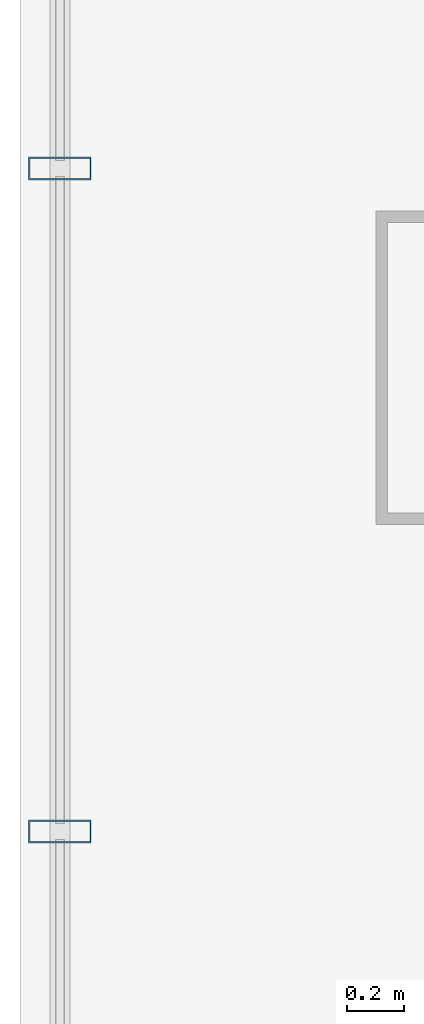
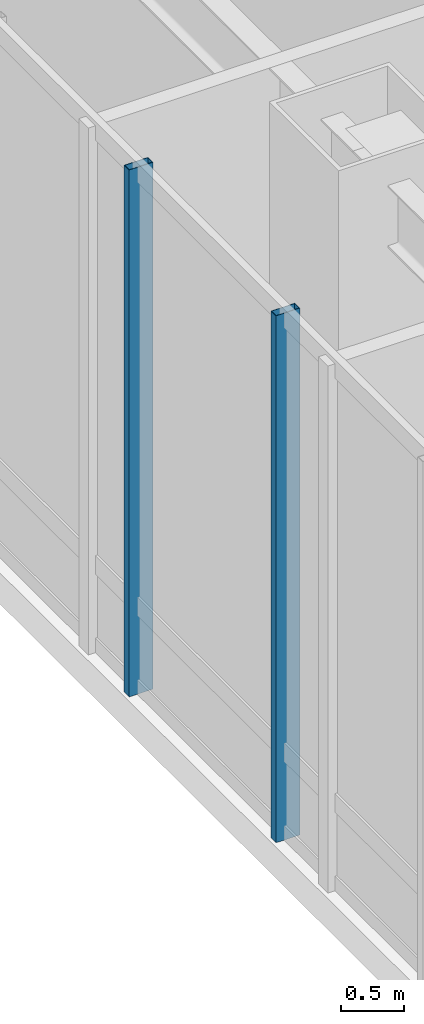
# One storey, part 17 of 38: 2 members, 1 element without a shape of its own.
"""IFC4 building model written with IfcOpenShell, lengths in metres."""

import ifcopenshell
import ifcopenshell.guid

model = None  # the IFC model being written
_history = None  # IfcOwnerHistory: only IFC2X3 demands one
_inside = {}  # id of a spatial element -> (the spatial element, [elements in it])
_under = {}  # id of a project, library or spatial element -> (it, [spatial elements below it])
_declared = {}  # id of a project -> (the project, [libraries it declares])
_typed = {}  # id of a type object -> (the type object, [elements of that type])
_made_of = {}  # id of a material, layer set ... -> (it, [elements and type objects made of it])


def new_model(schema):
    """Start an empty IFC model of exactly this schema.

    Asked for "IFC4X3", IfcOpenShell would pick the latest addendum, in which some entities
    have other attributes; the version numbers below select the first issue.
    IFC2X3 requires an IfcOwnerHistory on every rooted entity: one is made here for all.
    """
    global model, _history
    if schema == "IFC4X3":
        model = ifcopenshell.file(schema_version=(4, 3, 0, 0))
    else:
        model = ifcopenshell.file(schema=schema)
    _inside.clear()
    _under.clear()
    _declared.clear()
    _typed.clear()
    _made_of.clear()
    _history = None
    if model.schema == "IFC2X3":
        org = make("IfcOrganization", Name="unknown")
        user = make(
            "IfcPersonAndOrganization",
            ThePerson=make("IfcPerson", FamilyName="unknown"),
            TheOrganization=org,
        )
        app = make(
            "IfcApplication",
            ApplicationDeveloper=org,
            Version="unknown",
            ApplicationFullName="unknown",
            ApplicationIdentifier="unknown",
        )
        _history = make(
            "IfcOwnerHistory",
            OwningUser=user,
            OwningApplication=app,
            ChangeAction="ADDED",
            CreationDate=0,
        )
    return model


def make(cls, **values):
    """One entity of the class cls with the attributes given. An attribute that is None is left unset."""
    return model.create_entity(
        cls, **{name: value for name, value in values.items() if value is not None}
    )


def rooted(cls, **values):
    """An entity with a GlobalId (a new one), such as an element, a storey or a relation."""
    return make(cls, GlobalId=ifcopenshell.guid.new(), OwnerHistory=_history, **values)


def si_unit(unit_type, name, prefix=None):
    """IfcSIUnit, for example si_unit("LENGTHUNIT", "METRE", prefix="MILLI")."""
    return make("IfcSIUnit", UnitType=unit_type, Prefix=prefix, Name=name)


def assignment(units):
    """IfcUnitAssignment: the units of a project."""
    return None if units is None else make("IfcUnitAssignment", Units=units)


def point(xyz):
    """IfcCartesianPoint."""
    return None if xyz is None else make("IfcCartesianPoint", Coordinates=xyz)


def direction(xyz):
    """IfcDirection."""
    return None if xyz is None else make("IfcDirection", DirectionRatios=xyz)


def frame(location, z_axis=None, x_axis=None):
    """IfcAxis2Placement3D, a coordinate frame: its origin and axes. An axis left out is left unset."""
    return make(
        "IfcAxis2Placement3D",
        Location=point(location),
        Axis=direction(z_axis),
        RefDirection=direction(x_axis),
    )


def frame_2d(location, x_axis=None):
    """IfcAxis2Placement2D, a coordinate frame in the plane: its origin and x axis."""
    return make(
        "IfcAxis2Placement2D", Location=point(location), RefDirection=direction(x_axis)
    )


def origin():
    """The frame at (0, 0, 0) with its axes left unset."""
    return frame((0.0, 0.0, 0.0))


def origin_2d():
    """The frame at (0, 0) in the plane with its x axis left unset."""
    return frame_2d((0.0, 0.0))


def place(relative_to, where):
    """IfcLocalPlacement: puts the frame where relative to a parent placement (None: the world)."""
    return make(
        "IfcLocalPlacement", PlacementRelTo=relative_to, RelativePlacement=where
    )


def context(
    kind, dimensions, precision=None, world=None, true_north=None, identifier=None
):
    """IfcGeometricRepresentationContext, for example the 3D "Model" context."""
    return make(
        "IfcGeometricRepresentationContext",
        ContextIdentifier=identifier,
        ContextType=kind,
        CoordinateSpaceDimension=dimensions,
        Precision=precision,
        WorldCoordinateSystem=world,
        TrueNorth=true_north,
    )


def subcontext(parent, identifier, kind, view, scale=None):
    """IfcGeometricRepresentationSubContext, for example "Body" below "Model"."""
    return make(
        "IfcGeometricRepresentationSubContext",
        ContextIdentifier=identifier,
        ContextType=kind,
        ParentContext=parent,
        TargetScale=scale,
        TargetView=view,
    )


def project(units=None, contexts=None):
    """IfcProject with its units and contexts."""
    return rooted(
        "IfcProject",
        Name="project",
        RepresentationContexts=contexts,
        UnitsInContext=assignment(units),
    )


def spatial(cls, under=None, at=None, **own):
    """A site, building, storey or space (cls), placed at a placement, below another one or the project."""
    s = rooted(cls, ObjectPlacement=at, **own)
    if under is not None:
        _under.setdefault(under.id(), (under, []))[1].append(s)
    return s


def profile(cls, at=None, kind="AREA", **sizes):
    """A parametric profile (cls). Its sizes go by their IFC names, for example OverallWidth=200.0."""
    return make(cls, ProfileType=kind, Position=at, **sizes)


def hollow_rectangle(**sizes):
    """IfcRectangleHollowProfileDef."""
    return profile("IfcRectangleHollowProfileDef", **sizes)


def extrude(swept, where, along, depth):
    """IfcExtrudedAreaSolid: the profile swept, set in the frame where, extruded along a direction by depth."""
    return make(
        "IfcExtrudedAreaSolid",
        SweptArea=swept,
        Position=where,
        ExtrudedDirection=direction(along),
        Depth=depth,
    )


def shape(context_of_items, identifier, shape_type, items):
    """IfcShapeRepresentation: the items that make up one representation, for example the "Body"."""
    return make(
        "IfcShapeRepresentation",
        ContextOfItems=context_of_items,
        RepresentationIdentifier=identifier,
        RepresentationType=shape_type,
        Items=items,
    )


def material(Name=None, Category=None):
    """IfcMaterial."""
    return make("IfcMaterial", Name=Name, Category=Category)


def layer(
    of_material, thickness, ventilated=None, Name=None, Category=None, Priority=None
):
    """IfcMaterialLayer: one layer of a wall or slab, of a material (None: an air gap)."""
    return make(
        "IfcMaterialLayer",
        Material=of_material,
        LayerThickness=thickness,
        IsVentilated=ventilated,
        Name=Name,
        Category=Category,
        Priority=Priority,
    )


def layer_set(layers, Name=None):
    """IfcMaterialLayerSet."""
    return make("IfcMaterialLayerSet", MaterialLayers=layers, LayerSetName=Name)


def material_profile(
    of_material, cross_section, Name=None, Category=None, Priority=None
):
    """IfcMaterialProfile: a cross section and its material."""
    return make(
        "IfcMaterialProfile",
        Name=Name,
        Material=of_material,
        Profile=cross_section,
        Priority=Priority,
        Category=Category,
    )


def profile_set(profiles, Name=None, composite=None):
    """IfcMaterialProfileSet."""
    return make(
        "IfcMaterialProfileSet",
        Name=Name,
        MaterialProfiles=profiles,
        CompositeProfile=composite,
    )


def made_of(thing, what):
    """Note that an element or type object is made of a material, layer set ...; save() writes the relation."""
    if what is not None:
        _made_of.setdefault(what.id(), (what, []))[1].append(thing)
    return thing


def type_object(cls, material=None, **own):
    """A type object (cls), such as IfcWallType, which elements share."""
    return made_of(rooted(cls, **own), material)


def element(
    cls,
    number,
    at=None,
    inside=None,
    cuts=None,
    type_object=None,
    material=None,
    context=None,
    identifier="Body",
    shape_type=None,
    held_by="IfcProductDefinitionShape",
    body=None,
    shapes=None,
    **own,
):
    """One element of the class cls, such as IfcWall. Its Tag is "e" and its number.

    at: its placement. inside: the storey or other place that contains it. cuts: it is an
    opening in that element (IfcRelVoidsElement). A single representation is given by context,
    identifier, shape_type and body (its items); several are given by shapes. held_by: the class
    of the entity that holds the representations. save() writes the other relations.
    """
    e = rooted(cls, Tag="e%d" % number, ObjectPlacement=at, **own)
    if body is not None:
        shapes = [shape(context, identifier, shape_type, body)]
    if shapes is not None:
        e.Representation = make(held_by, Representations=shapes)
    if inside is not None:
        _inside.setdefault(inside.id(), (inside, []))[1].append(e)
    if cuts is not None:
        rooted(
            "IfcRelVoidsElement", RelatingBuildingElement=cuts, RelatedOpeningElement=e
        )
    if type_object is not None:
        _typed.setdefault(type_object.id(), (type_object, []))[1].append(e)
    return made_of(e, material)


def aggregate(whole, parts):
    """IfcRelAggregates: a whole, such as a stair, and the parts it consists of."""
    return rooted("IfcRelAggregates", RelatingObject=whole, RelatedObjects=parts)


def save(model, path):
    """Write the relations noted so far, then the file.

    IfcRelAggregates (storeys below a building ...), IfcRelContainedInSpatialStructure (elements
    in a storey), IfcRelDefinesByType, IfcRelAssociatesMaterial and IfcRelDeclares: one each for
    every whole, place, type object, material and project.
    """
    for whole, parts in _under.values():
        aggregate(whole, parts)
    for where, things in _inside.values():
        rooted(
            "IfcRelContainedInSpatialStructure",
            RelatedElements=things,
            RelatingStructure=where,
        )
    for kind, things in _typed.values():
        rooted("IfcRelDefinesByType", RelatedObjects=things, RelatingType=kind)
    for what, things in _made_of.values():
        rooted("IfcRelAssociatesMaterial", RelatedObjects=things, RelatingMaterial=what)
    for by, libraries in _declared.values():
        rooted("IfcRelDeclares", RelatingContext=by, RelatedDefinitions=libraries)
    model.write(path)


model = new_model("IFC4")

# Units and contexts
model_context = context("Model", 3, precision=1e-05, world=origin(), true_north=direction((0.0, 1.0)))
body_context = subcontext(model_context, "Body", "Model", "MODEL_VIEW")
ifc_project = project(units=[si_unit("LENGTHUNIT", "METRE"), si_unit("AREAUNIT", "SQUARE_METRE"), si_unit("VOLUMEUNIT", "CUBIC_METRE"), si_unit("PLANEANGLEUNIT", "RADIAN"), si_unit("MASSUNIT", "GRAM", prefix="KILO")], contexts=[model_context])

# Site, building, storey
site_placement = place(None, origin())
site = spatial("IfcSite", under=ifc_project, at=site_placement, CompositionType="ELEMENT")
building_placement = place(site_placement, origin())
building = spatial("IfcBuilding", under=site, at=building_placement, Name="Hatsunagi Terrace Concourse", CompositionType="ELEMENT")
storey_placement = place(building_placement, frame((0.0, 0.0, 21.60009765625)))
storey = spatial("IfcBuildingStorey", under=building, at=storey_placement, Name="L05", CompositionType="ELEMENT", Elevation=21.60009765625)

# Curtain wall, members
ifc_material_1 = material(Name="Anodised Aluminium Alloy 6063-T5", Category="aluminium")
ifc_layer = layer(ifc_material_1, 0.199951171875)
ifc_layer_set = layer_set([ifc_layer], Name="PodiumStorefront_CW01")
curtain_wall_type = type_object("IfcCurtainWallType", Name="PodiumStorefront_CW01", PredefinedType="NOTDEFINED", material=ifc_layer_set)
curtain_wall_placement = place(storey_placement, origin())
curtain_wall = element("IfcCurtainWall", 1, at=curtain_wall_placement, inside=storey, type_object=curtain_wall_type, Name="Unitised Curtain Wall CW-01 CW-L05-09", PredefinedType="NOTDEFINED")
ifc_material_2 = material(Name="Anodised Aluminium Alloy 6063-T5", Category="aluminium")
ifc_material_profile = material_profile(ifc_material_2, hollow_rectangle(XDim=0.080078125, YDim=0.219970703125, WallThickness=0.0048828125, at=origin_2d()), Name="ALU-MUL-220x80x5")
ifc_profile_set = profile_set([ifc_material_profile], Name="Anodised Aluminium Alloy 6063-T5")
member_type = type_object("IfcMemberType", Name="CurtainWallMullion_Heavy_220x80", PredefinedType="MULLION", material=ifc_profile_set)
member_1_placement = place(storey_placement, frame((0.139892578125, 35.172119140625, 0.0), z_axis=(0.0, 0.0, 1.0), x_axis=(0.0, 1.0, 0.0)))
member_1 = element("IfcMember", 2, at=member_1_placement, type_object=member_type, Name="Curtain Wall Mullion MUL-01", PredefinedType="MULLION", context=body_context, shape_type="SweptSolid", body=[
    extrude(hollow_rectangle(XDim=0.080078125, YDim=0.219970703125, WallThickness=0.0048828125, at=origin_2d()), origin(), (0.0, 0.0, 1.0), 5.099853515625),
])
member_2_placement = place(storey_placement, frame((0.139892578125, 37.5, 0.0), z_axis=(0.0, 0.0, 1.0), x_axis=(0.0, 1.0, 0.0)))
member_2 = element("IfcMember", 3, at=member_2_placement, type_object=member_type, Name="Curtain Wall Mullion MUL-01", PredefinedType="MULLION", context=body_context, shape_type="SweptSolid", body=[
    extrude(hollow_rectangle(XDim=0.080078125, YDim=0.219970703125, WallThickness=0.0048828125, at=origin_2d()), origin(), (0.0, 0.0, 1.0), 5.099853515625),
])
aggregate(curtain_wall, [member_1, member_2])

save(model, "model.ifc")
